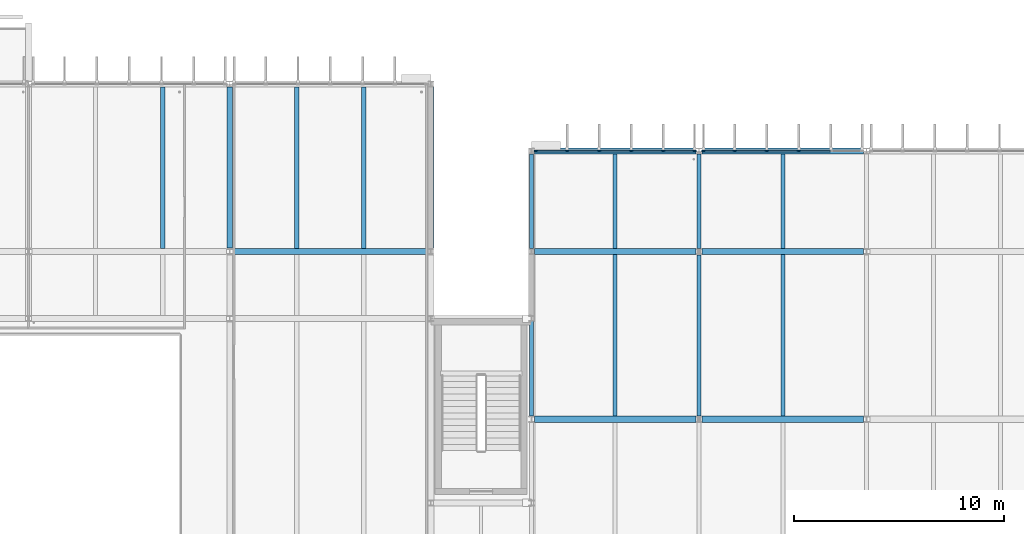
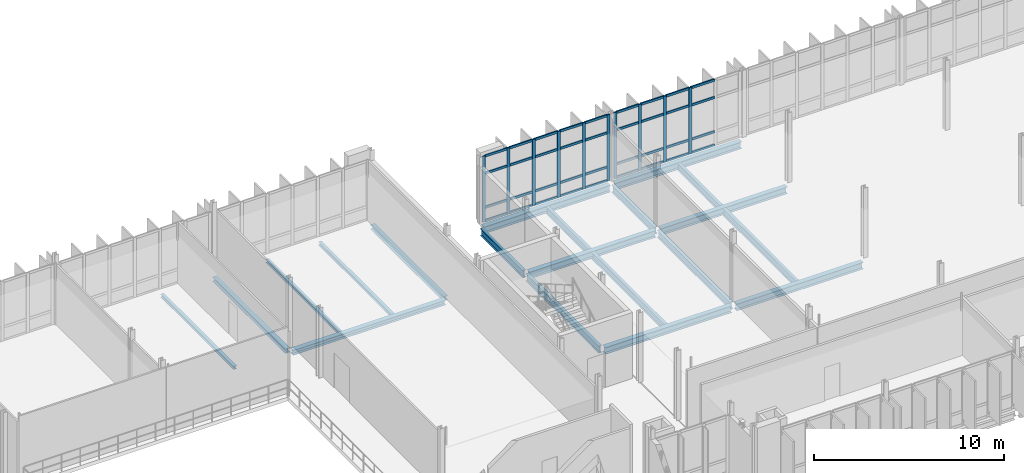
# One storey, part 29 of 93: 46 members, 20 beams, 2 elements without a shape of their own.
"""IFC4 building model written with IfcOpenShell, lengths in metres."""

from ifc_helpers import new_model, si_unit, direction, frame, origin, origin_2d, place, context, subcontext, project, spatial, rectangle, i_section, extrude, material, material_profile, profile_set, type_object, element, aggregate, save


model = new_model("IFC4")

# Units and contexts
model_context = context("Model", 3, precision=1e-05, world=origin(), true_north=direction((0.0, 1.0)))
body_context = subcontext(model_context, "Body", "Model", "MODEL_VIEW")
ifc_project = project(units=[si_unit("LENGTHUNIT", "METRE"), si_unit("AREAUNIT", "SQUARE_METRE"), si_unit("VOLUMEUNIT", "CUBIC_METRE"), si_unit("PLANEANGLEUNIT", "RADIAN"), si_unit("MASSUNIT", "GRAM", prefix="KILO")], contexts=[model_context])

# Site, building, storey
site_placement = place(None, origin())
site = spatial("IfcSite", under=ifc_project, at=site_placement, CompositionType="ELEMENT")
building_placement = place(site_placement, origin())
building = spatial("IfcBuilding", under=site, at=building_placement, Name="Dunescarp Central Library", CompositionType="ELEMENT")
storey_placement = place(building_placement, frame((0.0, 0.0, 14.10009765625)))
storey = spatial("IfcBuildingStorey", under=building, at=storey_placement, Name="L03", CompositionType="ELEMENT", Elevation=14.10009765625)

# Curtain wall, members
ifc_material_1 = material(Name="Marine-grade anodised aluminium 6063-T6", Category="aluminium")
curtain_wall_type = type_object("IfcCurtainWallType", Name="ARC-CW-STICK", PredefinedType="NOTDEFINED", material=ifc_material_1)
curtain_wall_1_placement = place(storey_placement, origin())
curtain_wall_1 = element("IfcCurtainWall", 1, at=curtain_wall_1_placement, inside=storey, type_object=curtain_wall_type, Name="L03 curtain wall CW-V3-102", PredefinedType="NOTDEFINED")
ifc_material_profile_1 = material_profile(ifc_material_1, rectangle(XDim=0.080078125, YDim=0.179931640625, at=origin_2d()), Name="AL 80x180")
ifc_profile_set_1 = profile_set([ifc_material_profile_1], Name="Marine-grade anodised aluminium 6063-T6")
member_type_1 = type_object("IfcMemberType", Name="ARC-CWM-180", PredefinedType="MULLION", material=ifc_profile_set_1)
member_1_placement = place(storey_placement, frame((81.81494140625, 33.60009765625, 0.0), z_axis=(0.0, 0.0, 1.0), x_axis=(0.0, 1.0, 0.0)))
member_1 = element("IfcMember", 2, at=member_1_placement, type_object=member_type_1, Name="CW-V3-102 mullion 1", PredefinedType="MULLION", context=body_context, shape_type="SweptSolid", body=[
    extrude(rectangle(XDim=0.080078125, YDim=0.179931640625, at=origin_2d()), origin(), (0.0, 0.0, 1.0), 4.25),
])
member_2_placement = place(storey_placement, frame((83.304931640625, 33.60009765625, 0.0), z_axis=(0.0, 0.0, 1.0), x_axis=(0.0, 1.0, 0.0)))
member_2 = element("IfcMember", 3, at=member_2_placement, type_object=member_type_1, Name="CW-V3-102 mullion 2", PredefinedType="MULLION", context=body_context, shape_type="SweptSolid", body=[
    extrude(rectangle(XDim=0.080078125, YDim=0.179931640625, at=origin_2d()), origin(), (0.0, 0.0, 1.0), 4.25),
])
member_3_placement = place(storey_placement, frame((84.8349609375, 33.60009765625, 0.0), z_axis=(0.0, 0.0, 1.0), x_axis=(0.0, 1.0, 0.0)))
member_3 = element("IfcMember", 4, at=member_3_placement, type_object=member_type_1, Name="CW-V3-102 mullion 3", PredefinedType="MULLION", context=body_context, shape_type="SweptSolid", body=[
    extrude(rectangle(XDim=0.080078125, YDim=0.179931640625, at=origin_2d()), origin(), (0.0, 0.0, 1.0), 4.25),
])
member_4_placement = place(storey_placement, frame((86.364990234375, 33.60009765625, 0.0), z_axis=(0.0, 0.0, 1.0), x_axis=(0.0, 1.0, 0.0)))
member_4 = element("IfcMember", 5, at=member_4_placement, type_object=member_type_1, Name="CW-V3-102 mullion 4", PredefinedType="MULLION", context=body_context, shape_type="SweptSolid", body=[
    extrude(rectangle(XDim=0.080078125, YDim=0.179931640625, at=origin_2d()), origin(), (0.0, 0.0, 1.0), 4.25),
])
member_5_placement = place(storey_placement, frame((87.89501953125, 33.60009765625, 0.0), z_axis=(0.0, 0.0, 1.0), x_axis=(0.0, 1.0, 0.0)))
member_5 = element("IfcMember", 6, at=member_5_placement, type_object=member_type_1, Name="CW-V3-102 mullion 5", PredefinedType="MULLION", context=body_context, shape_type="SweptSolid", body=[
    extrude(rectangle(XDim=0.080078125, YDim=0.179931640625, at=origin_2d()), origin(), (0.0, 0.0, 1.0), 4.25),
])
member_6_placement = place(storey_placement, frame((89.385009765625, 33.60009765625, 0.0), z_axis=(0.0, 0.0, 1.0), x_axis=(0.0, 1.0, 0.0)))
member_6 = element("IfcMember", 7, at=member_6_placement, type_object=member_type_1, Name="CW-V3-102 mullion 6", PredefinedType="MULLION", context=body_context, shape_type="SweptSolid", body=[
    extrude(rectangle(XDim=0.080078125, YDim=0.179931640625, at=origin_2d()), origin(), (0.0, 0.0, 1.0), 4.25),
])

curtain_wall_2_placement = place(storey_placement, origin())
curtain_wall_2 = element("IfcCurtainWall", 8, at=curtain_wall_2_placement, inside=storey, type_object=curtain_wall_type, Name="L03 curtain wall CW-V3-103", PredefinedType="NOTDEFINED")
member_7_placement = place(storey_placement, frame((89.81494140625, 33.60009765625, 0.0), z_axis=(0.0, 0.0, 1.0), x_axis=(0.0, 1.0, 0.0)))
member_7 = element("IfcMember", 9, at=member_7_placement, type_object=member_type_1, Name="CW-V3-103 mullion 1", PredefinedType="MULLION", context=body_context, shape_type="SweptSolid", body=[
    extrude(rectangle(XDim=0.080078125, YDim=0.179931640625, at=origin_2d()), origin(), (0.0, 0.0, 1.0), 4.25),
])
member_8_placement = place(storey_placement, frame((91.304931640625, 33.60009765625, 0.0), z_axis=(0.0, 0.0, 1.0), x_axis=(0.0, 1.0, 0.0)))
member_8 = element("IfcMember", 10, at=member_8_placement, type_object=member_type_1, Name="CW-V3-103 mullion 2", PredefinedType="MULLION", context=body_context, shape_type="SweptSolid", body=[
    extrude(rectangle(XDim=0.080078125, YDim=0.179931640625, at=origin_2d()), origin(), (0.0, 0.0, 1.0), 4.25),
])
member_9_placement = place(storey_placement, frame((92.8349609375, 33.60009765625, 0.0), z_axis=(0.0, 0.0, 1.0), x_axis=(0.0, 1.0, 0.0)))
member_9 = element("IfcMember", 11, at=member_9_placement, type_object=member_type_1, Name="CW-V3-103 mullion 3", PredefinedType="MULLION", context=body_context, shape_type="SweptSolid", body=[
    extrude(rectangle(XDim=0.080078125, YDim=0.179931640625, at=origin_2d()), origin(), (0.0, 0.0, 1.0), 4.25),
])
member_10_placement = place(storey_placement, frame((94.364990234375, 33.60009765625, 0.0), z_axis=(0.0, 0.0, 1.0), x_axis=(0.0, 1.0, 0.0)))
member_10 = element("IfcMember", 12, at=member_10_placement, type_object=member_type_1, Name="CW-V3-103 mullion 4", PredefinedType="MULLION", context=body_context, shape_type="SweptSolid", body=[
    extrude(rectangle(XDim=0.080078125, YDim=0.179931640625, at=origin_2d()), origin(), (0.0, 0.0, 1.0), 4.25),
])

# Member
ifc_material_profile_2 = material_profile(ifc_material_1, rectangle(XDim=0.080078125, YDim=0.14990234375, at=origin_2d()), Name="AL 80x150")
ifc_profile_set_2 = profile_set([ifc_material_profile_2], Name="Marine-grade anodised aluminium 6063-T6")
member_type_2 = type_object("IfcMemberType", Name="ARC-CWT-150", PredefinedType="USERDEFINED", material=ifc_profile_set_2)
member_11_placement = place(storey_placement, frame((81.85498046875, 33.60009765625, 0.039794921875), z_axis=(1.0, 0.0, 0.0), x_axis=(0.0, 1.0, 0.0)))
member_11 = element("IfcMember", 13, at=member_11_placement, type_object=member_type_2, Name="CW-V3-102 transom 1.1", ObjectType="TRANSOM", PredefinedType="USERDEFINED", context=body_context, shape_type="SweptSolid", body=[
    extrude(rectangle(XDim=0.080078125, YDim=0.14990234375, at=origin_2d()), origin(), (0.0, 0.0, 1.0), 1.409912109375),
])

member_12_placement = place(storey_placement, frame((81.85498046875, 33.60009765625, 0.89990234375), z_axis=(1.0, 0.0, 0.0), x_axis=(0.0, 1.0, 0.0)))
member_12 = element("IfcMember", 14, at=member_12_placement, type_object=member_type_2, Name="CW-V3-102 transom 1.2", ObjectType="TRANSOM", PredefinedType="USERDEFINED", context=body_context, shape_type="SweptSolid", body=[
    extrude(rectangle(XDim=0.080078125, YDim=0.14990234375, at=origin_2d()), origin(), (0.0, 0.0, 1.0), 1.409912109375),
])

member_13_placement = place(storey_placement, frame((81.85498046875, 33.60009765625, 3.099853515625), z_axis=(1.0, 0.0, 0.0), x_axis=(0.0, 1.0, 0.0)))
member_13 = element("IfcMember", 15, at=member_13_placement, type_object=member_type_2, Name="CW-V3-102 transom 1.3", ObjectType="TRANSOM", PredefinedType="USERDEFINED", context=body_context, shape_type="SweptSolid", body=[
    extrude(rectangle(XDim=0.080078125, YDim=0.14990234375, at=origin_2d()), origin(), (0.0, 0.0, 1.0), 1.409912109375),
])

member_14_placement = place(storey_placement, frame((81.85498046875, 33.60009765625, 4.2099609375), z_axis=(1.0, 0.0, 0.0), x_axis=(0.0, 1.0, 0.0)))
member_14 = element("IfcMember", 16, at=member_14_placement, type_object=member_type_2, Name="CW-V3-102 transom 1.4", ObjectType="TRANSOM", PredefinedType="USERDEFINED", context=body_context, shape_type="SweptSolid", body=[
    extrude(rectangle(XDim=0.080078125, YDim=0.14990234375, at=origin_2d()), origin(), (0.0, 0.0, 1.0), 1.409912109375),
])

member_15_placement = place(storey_placement, frame((83.344970703125, 33.60009765625, 0.039794921875), z_axis=(1.0, 0.0, 0.0), x_axis=(0.0, 1.0, 0.0)))
member_15 = element("IfcMember", 17, at=member_15_placement, type_object=member_type_2, Name="CW-V3-102 transom 2.1", ObjectType="TRANSOM", PredefinedType="USERDEFINED", context=body_context, shape_type="SweptSolid", body=[
    extrude(rectangle(XDim=0.080078125, YDim=0.14990234375, at=origin_2d()), origin(), (0.0, 0.0, 1.0), 1.449951171875),
])

member_16_placement = place(storey_placement, frame((83.344970703125, 33.60009765625, 0.89990234375), z_axis=(1.0, 0.0, 0.0), x_axis=(0.0, 1.0, 0.0)))
member_16 = element("IfcMember", 18, at=member_16_placement, type_object=member_type_2, Name="CW-V3-102 transom 2.2", ObjectType="TRANSOM", PredefinedType="USERDEFINED", context=body_context, shape_type="SweptSolid", body=[
    extrude(rectangle(XDim=0.080078125, YDim=0.14990234375, at=origin_2d()), origin(), (0.0, 0.0, 1.0), 1.449951171875),
])

member_17_placement = place(storey_placement, frame((83.344970703125, 33.60009765625, 3.099853515625), z_axis=(1.0, 0.0, 0.0), x_axis=(0.0, 1.0, 0.0)))
member_17 = element("IfcMember", 19, at=member_17_placement, type_object=member_type_2, Name="CW-V3-102 transom 2.3", ObjectType="TRANSOM", PredefinedType="USERDEFINED", context=body_context, shape_type="SweptSolid", body=[
    extrude(rectangle(XDim=0.080078125, YDim=0.14990234375, at=origin_2d()), origin(), (0.0, 0.0, 1.0), 1.449951171875),
])

member_18_placement = place(storey_placement, frame((83.344970703125, 33.60009765625, 4.2099609375), z_axis=(1.0, 0.0, 0.0), x_axis=(0.0, 1.0, 0.0)))
member_18 = element("IfcMember", 20, at=member_18_placement, type_object=member_type_2, Name="CW-V3-102 transom 2.4", ObjectType="TRANSOM", PredefinedType="USERDEFINED", context=body_context, shape_type="SweptSolid", body=[
    extrude(rectangle(XDim=0.080078125, YDim=0.14990234375, at=origin_2d()), origin(), (0.0, 0.0, 1.0), 1.449951171875),
])

member_19_placement = place(storey_placement, frame((84.875, 33.60009765625, 0.039794921875), z_axis=(1.0, 0.0, 0.0), x_axis=(0.0, 1.0, 0.0)))
member_19 = element("IfcMember", 21, at=member_19_placement, type_object=member_type_2, Name="CW-V3-102 transom 3.1", ObjectType="TRANSOM", PredefinedType="USERDEFINED", context=body_context, shape_type="SweptSolid", body=[
    extrude(rectangle(XDim=0.080078125, YDim=0.14990234375, at=origin_2d()), origin(), (0.0, 0.0, 1.0), 1.449951171875),
])

member_20_placement = place(storey_placement, frame((84.875, 33.60009765625, 0.89990234375), z_axis=(1.0, 0.0, 0.0), x_axis=(0.0, 1.0, 0.0)))
member_20 = element("IfcMember", 22, at=member_20_placement, type_object=member_type_2, Name="CW-V3-102 transom 3.2", ObjectType="TRANSOM", PredefinedType="USERDEFINED", context=body_context, shape_type="SweptSolid", body=[
    extrude(rectangle(XDim=0.080078125, YDim=0.14990234375, at=origin_2d()), origin(), (0.0, 0.0, 1.0), 1.449951171875),
])

member_21_placement = place(storey_placement, frame((84.875, 33.60009765625, 3.099853515625), z_axis=(1.0, 0.0, 0.0), x_axis=(0.0, 1.0, 0.0)))
member_21 = element("IfcMember", 23, at=member_21_placement, type_object=member_type_2, Name="CW-V3-102 transom 3.3", ObjectType="TRANSOM", PredefinedType="USERDEFINED", context=body_context, shape_type="SweptSolid", body=[
    extrude(rectangle(XDim=0.080078125, YDim=0.14990234375, at=origin_2d()), origin(), (0.0, 0.0, 1.0), 1.449951171875),
])

member_22_placement = place(storey_placement, frame((84.875, 33.60009765625, 4.2099609375), z_axis=(1.0, 0.0, 0.0), x_axis=(0.0, 1.0, 0.0)))
member_22 = element("IfcMember", 24, at=member_22_placement, type_object=member_type_2, Name="CW-V3-102 transom 3.4", ObjectType="TRANSOM", PredefinedType="USERDEFINED", context=body_context, shape_type="SweptSolid", body=[
    extrude(rectangle(XDim=0.080078125, YDim=0.14990234375, at=origin_2d()), origin(), (0.0, 0.0, 1.0), 1.449951171875),
])

member_23_placement = place(storey_placement, frame((86.405029296875, 33.60009765625, 0.039794921875), z_axis=(1.0, 0.0, 0.0), x_axis=(0.0, 1.0, 0.0)))
member_23 = element("IfcMember", 25, at=member_23_placement, type_object=member_type_2, Name="CW-V3-102 transom 4.1", ObjectType="TRANSOM", PredefinedType="USERDEFINED", context=body_context, shape_type="SweptSolid", body=[
    extrude(rectangle(XDim=0.080078125, YDim=0.14990234375, at=origin_2d()), origin(), (0.0, 0.0, 1.0), 1.449951171875),
])

member_24_placement = place(storey_placement, frame((86.405029296875, 33.60009765625, 0.89990234375), z_axis=(1.0, 0.0, 0.0), x_axis=(0.0, 1.0, 0.0)))
member_24 = element("IfcMember", 26, at=member_24_placement, type_object=member_type_2, Name="CW-V3-102 transom 4.2", ObjectType="TRANSOM", PredefinedType="USERDEFINED", context=body_context, shape_type="SweptSolid", body=[
    extrude(rectangle(XDim=0.080078125, YDim=0.14990234375, at=origin_2d()), origin(), (0.0, 0.0, 1.0), 1.449951171875),
])

member_25_placement = place(storey_placement, frame((86.405029296875, 33.60009765625, 3.099853515625), z_axis=(1.0, 0.0, 0.0), x_axis=(0.0, 1.0, 0.0)))
member_25 = element("IfcMember", 27, at=member_25_placement, type_object=member_type_2, Name="CW-V3-102 transom 4.3", ObjectType="TRANSOM", PredefinedType="USERDEFINED", context=body_context, shape_type="SweptSolid", body=[
    extrude(rectangle(XDim=0.080078125, YDim=0.14990234375, at=origin_2d()), origin(), (0.0, 0.0, 1.0), 1.449951171875),
])

member_26_placement = place(storey_placement, frame((86.405029296875, 33.60009765625, 4.2099609375), z_axis=(1.0, 0.0, 0.0), x_axis=(0.0, 1.0, 0.0)))
member_26 = element("IfcMember", 28, at=member_26_placement, type_object=member_type_2, Name="CW-V3-102 transom 4.4", ObjectType="TRANSOM", PredefinedType="USERDEFINED", context=body_context, shape_type="SweptSolid", body=[
    extrude(rectangle(XDim=0.080078125, YDim=0.14990234375, at=origin_2d()), origin(), (0.0, 0.0, 1.0), 1.449951171875),
])

member_27_placement = place(storey_placement, frame((87.93505859375, 33.60009765625, 0.039794921875), z_axis=(1.0, 0.0, 0.0), x_axis=(0.0, 1.0, 0.0)))
member_27 = element("IfcMember", 29, at=member_27_placement, type_object=member_type_2, Name="CW-V3-102 transom 5.1", ObjectType="TRANSOM", PredefinedType="USERDEFINED", context=body_context, shape_type="SweptSolid", body=[
    extrude(rectangle(XDim=0.080078125, YDim=0.14990234375, at=origin_2d()), origin(), (0.0, 0.0, 1.0), 1.409912109375),
])

member_28_placement = place(storey_placement, frame((87.93505859375, 33.60009765625, 0.89990234375), z_axis=(1.0, 0.0, 0.0), x_axis=(0.0, 1.0, 0.0)))
member_28 = element("IfcMember", 30, at=member_28_placement, type_object=member_type_2, Name="CW-V3-102 transom 5.2", ObjectType="TRANSOM", PredefinedType="USERDEFINED", context=body_context, shape_type="SweptSolid", body=[
    extrude(rectangle(XDim=0.080078125, YDim=0.14990234375, at=origin_2d()), origin(), (0.0, 0.0, 1.0), 1.409912109375),
])

member_29_placement = place(storey_placement, frame((87.93505859375, 33.60009765625, 3.099853515625), z_axis=(1.0, 0.0, 0.0), x_axis=(0.0, 1.0, 0.0)))
member_29 = element("IfcMember", 31, at=member_29_placement, type_object=member_type_2, Name="CW-V3-102 transom 5.3", ObjectType="TRANSOM", PredefinedType="USERDEFINED", context=body_context, shape_type="SweptSolid", body=[
    extrude(rectangle(XDim=0.080078125, YDim=0.14990234375, at=origin_2d()), origin(), (0.0, 0.0, 1.0), 1.409912109375),
])

member_30_placement = place(storey_placement, frame((87.93505859375, 33.60009765625, 4.2099609375), z_axis=(1.0, 0.0, 0.0), x_axis=(0.0, 1.0, 0.0)))
member_30 = element("IfcMember", 32, at=member_30_placement, type_object=member_type_2, Name="CW-V3-102 transom 5.4", ObjectType="TRANSOM", PredefinedType="USERDEFINED", context=body_context, shape_type="SweptSolid", body=[
    extrude(rectangle(XDim=0.080078125, YDim=0.14990234375, at=origin_2d()), origin(), (0.0, 0.0, 1.0), 1.409912109375),
])

aggregate(curtain_wall_1, [member_1, member_2, member_3, member_4, member_5, member_6, member_11, member_12, member_13, member_14, member_15, member_16, member_17, member_18, member_19, member_20, member_21, member_22, member_23, member_24, member_25, member_26, member_27, member_28, member_29, member_30])

member_31_placement = place(storey_placement, frame((89.85498046875, 33.60009765625, 0.039794921875), z_axis=(1.0, 0.0, 0.0), x_axis=(0.0, 1.0, 0.0)))
member_31 = element("IfcMember", 33, at=member_31_placement, type_object=member_type_2, Name="CW-V3-103 transom 1.1", ObjectType="TRANSOM", PredefinedType="USERDEFINED", context=body_context, shape_type="SweptSolid", body=[
    extrude(rectangle(XDim=0.080078125, YDim=0.14990234375, at=origin_2d()), origin(), (0.0, 0.0, 1.0), 1.409912109375),
])

member_32_placement = place(storey_placement, frame((89.85498046875, 33.60009765625, 0.89990234375), z_axis=(1.0, 0.0, 0.0), x_axis=(0.0, 1.0, 0.0)))
member_32 = element("IfcMember", 34, at=member_32_placement, type_object=member_type_2, Name="CW-V3-103 transom 1.2", ObjectType="TRANSOM", PredefinedType="USERDEFINED", context=body_context, shape_type="SweptSolid", body=[
    extrude(rectangle(XDim=0.080078125, YDim=0.14990234375, at=origin_2d()), origin(), (0.0, 0.0, 1.0), 1.409912109375),
])

member_33_placement = place(storey_placement, frame((89.85498046875, 33.60009765625, 3.099853515625), z_axis=(1.0, 0.0, 0.0), x_axis=(0.0, 1.0, 0.0)))
member_33 = element("IfcMember", 35, at=member_33_placement, type_object=member_type_2, Name="CW-V3-103 transom 1.3", ObjectType="TRANSOM", PredefinedType="USERDEFINED", context=body_context, shape_type="SweptSolid", body=[
    extrude(rectangle(XDim=0.080078125, YDim=0.14990234375, at=origin_2d()), origin(), (0.0, 0.0, 1.0), 1.409912109375),
])

member_34_placement = place(storey_placement, frame((89.85498046875, 33.60009765625, 4.2099609375), z_axis=(1.0, 0.0, 0.0), x_axis=(0.0, 1.0, 0.0)))
member_34 = element("IfcMember", 36, at=member_34_placement, type_object=member_type_2, Name="CW-V3-103 transom 1.4", ObjectType="TRANSOM", PredefinedType="USERDEFINED", context=body_context, shape_type="SweptSolid", body=[
    extrude(rectangle(XDim=0.080078125, YDim=0.14990234375, at=origin_2d()), origin(), (0.0, 0.0, 1.0), 1.409912109375),
])

member_35_placement = place(storey_placement, frame((91.344970703125, 33.60009765625, 0.039794921875), z_axis=(1.0, 0.0, 0.0), x_axis=(0.0, 1.0, 0.0)))
member_35 = element("IfcMember", 37, at=member_35_placement, type_object=member_type_2, Name="CW-V3-103 transom 2.1", ObjectType="TRANSOM", PredefinedType="USERDEFINED", context=body_context, shape_type="SweptSolid", body=[
    extrude(rectangle(XDim=0.080078125, YDim=0.14990234375, at=origin_2d()), origin(), (0.0, 0.0, 1.0), 1.449951171875),
])

member_36_placement = place(storey_placement, frame((91.344970703125, 33.60009765625, 0.89990234375), z_axis=(1.0, 0.0, 0.0), x_axis=(0.0, 1.0, 0.0)))
member_36 = element("IfcMember", 38, at=member_36_placement, type_object=member_type_2, Name="CW-V3-103 transom 2.2", ObjectType="TRANSOM", PredefinedType="USERDEFINED", context=body_context, shape_type="SweptSolid", body=[
    extrude(rectangle(XDim=0.080078125, YDim=0.14990234375, at=origin_2d()), origin(), (0.0, 0.0, 1.0), 1.449951171875),
])

member_37_placement = place(storey_placement, frame((91.344970703125, 33.60009765625, 3.099853515625), z_axis=(1.0, 0.0, 0.0), x_axis=(0.0, 1.0, 0.0)))
member_37 = element("IfcMember", 39, at=member_37_placement, type_object=member_type_2, Name="CW-V3-103 transom 2.3", ObjectType="TRANSOM", PredefinedType="USERDEFINED", context=body_context, shape_type="SweptSolid", body=[
    extrude(rectangle(XDim=0.080078125, YDim=0.14990234375, at=origin_2d()), origin(), (0.0, 0.0, 1.0), 1.449951171875),
])

member_38_placement = place(storey_placement, frame((91.344970703125, 33.60009765625, 4.2099609375), z_axis=(1.0, 0.0, 0.0), x_axis=(0.0, 1.0, 0.0)))
member_38 = element("IfcMember", 40, at=member_38_placement, type_object=member_type_2, Name="CW-V3-103 transom 2.4", ObjectType="TRANSOM", PredefinedType="USERDEFINED", context=body_context, shape_type="SweptSolid", body=[
    extrude(rectangle(XDim=0.080078125, YDim=0.14990234375, at=origin_2d()), origin(), (0.0, 0.0, 1.0), 1.449951171875),
])

member_39_placement = place(storey_placement, frame((92.875, 33.60009765625, 0.039794921875), z_axis=(1.0, 0.0, 0.0), x_axis=(0.0, 1.0, 0.0)))
member_39 = element("IfcMember", 41, at=member_39_placement, type_object=member_type_2, Name="CW-V3-103 transom 3.1", ObjectType="TRANSOM", PredefinedType="USERDEFINED", context=body_context, shape_type="SweptSolid", body=[
    extrude(rectangle(XDim=0.080078125, YDim=0.14990234375, at=origin_2d()), origin(), (0.0, 0.0, 1.0), 1.449951171875),
])

member_40_placement = place(storey_placement, frame((92.875, 33.60009765625, 0.89990234375), z_axis=(1.0, 0.0, 0.0), x_axis=(0.0, 1.0, 0.0)))
member_40 = element("IfcMember", 42, at=member_40_placement, type_object=member_type_2, Name="CW-V3-103 transom 3.2", ObjectType="TRANSOM", PredefinedType="USERDEFINED", context=body_context, shape_type="SweptSolid", body=[
    extrude(rectangle(XDim=0.080078125, YDim=0.14990234375, at=origin_2d()), origin(), (0.0, 0.0, 1.0), 1.449951171875),
])

member_41_placement = place(storey_placement, frame((92.875, 33.60009765625, 3.099853515625), z_axis=(1.0, 0.0, 0.0), x_axis=(0.0, 1.0, 0.0)))
member_41 = element("IfcMember", 43, at=member_41_placement, type_object=member_type_2, Name="CW-V3-103 transom 3.3", ObjectType="TRANSOM", PredefinedType="USERDEFINED", context=body_context, shape_type="SweptSolid", body=[
    extrude(rectangle(XDim=0.080078125, YDim=0.14990234375, at=origin_2d()), origin(), (0.0, 0.0, 1.0), 1.449951171875),
])

member_42_placement = place(storey_placement, frame((92.875, 33.60009765625, 4.2099609375), z_axis=(1.0, 0.0, 0.0), x_axis=(0.0, 1.0, 0.0)))
member_42 = element("IfcMember", 44, at=member_42_placement, type_object=member_type_2, Name="CW-V3-103 transom 3.4", ObjectType="TRANSOM", PredefinedType="USERDEFINED", context=body_context, shape_type="SweptSolid", body=[
    extrude(rectangle(XDim=0.080078125, YDim=0.14990234375, at=origin_2d()), origin(), (0.0, 0.0, 1.0), 1.449951171875),
])

member_43_placement = place(storey_placement, frame((94.405029296875, 33.60009765625, 0.039794921875), z_axis=(1.0, 0.0, 0.0), x_axis=(0.0, 1.0, 0.0)))
member_43 = element("IfcMember", 45, at=member_43_placement, type_object=member_type_2, Name="CW-V3-103 transom 4.1", ObjectType="TRANSOM", PredefinedType="USERDEFINED", context=body_context, shape_type="SweptSolid", body=[
    extrude(rectangle(XDim=0.080078125, YDim=0.14990234375, at=origin_2d()), origin(), (0.0, 0.0, 1.0), 1.449951171875),
])

member_44_placement = place(storey_placement, frame((94.405029296875, 33.60009765625, 0.89990234375), z_axis=(1.0, 0.0, 0.0), x_axis=(0.0, 1.0, 0.0)))
member_44 = element("IfcMember", 46, at=member_44_placement, type_object=member_type_2, Name="CW-V3-103 transom 4.2", ObjectType="TRANSOM", PredefinedType="USERDEFINED", context=body_context, shape_type="SweptSolid", body=[
    extrude(rectangle(XDim=0.080078125, YDim=0.14990234375, at=origin_2d()), origin(), (0.0, 0.0, 1.0), 1.449951171875),
])

member_45_placement = place(storey_placement, frame((94.405029296875, 33.60009765625, 3.099853515625), z_axis=(1.0, 0.0, 0.0), x_axis=(0.0, 1.0, 0.0)))
member_45 = element("IfcMember", 47, at=member_45_placement, type_object=member_type_2, Name="CW-V3-103 transom 4.3", ObjectType="TRANSOM", PredefinedType="USERDEFINED", context=body_context, shape_type="SweptSolid", body=[
    extrude(rectangle(XDim=0.080078125, YDim=0.14990234375, at=origin_2d()), origin(), (0.0, 0.0, 1.0), 1.449951171875),
])

member_46_placement = place(storey_placement, frame((94.405029296875, 33.60009765625, 4.2099609375), z_axis=(1.0, 0.0, 0.0), x_axis=(0.0, 1.0, 0.0)))
member_46 = element("IfcMember", 48, at=member_46_placement, type_object=member_type_2, Name="CW-V3-103 transom 4.4", ObjectType="TRANSOM", PredefinedType="USERDEFINED", context=body_context, shape_type="SweptSolid", body=[
    extrude(rectangle(XDim=0.080078125, YDim=0.14990234375, at=origin_2d()), origin(), (0.0, 0.0, 1.0), 1.449951171875),
])

aggregate(curtain_wall_2, [member_7, member_8, member_9, member_10, member_31, member_32, member_33, member_34, member_35, member_36, member_37, member_38, member_39, member_40, member_41, member_42, member_43, member_44, member_45, member_46])

# Beams
ifc_material_2 = material(Name="Steel S355JR", Category="steel")
ifc_material_profile_3 = material_profile(ifc_material_2, i_section(OverallWidth=0.300048828125, OverallDepth=0.31005859375, WebThickness=0.009033203125, FlangeThickness=0.015380859375, at=origin_2d()), Name="HEA 320")
ifc_profile_set_3 = profile_set([ifc_material_profile_3], Name="Steel S355JR")
beam_type_1 = type_object("IfcBeamType", Name="STR-BM-HEA320", PredefinedType="BEAM", material=ifc_profile_set_3)
beam_1_placement = place(storey_placement, frame((67.35302734375, 28.800048828125, -0.39501953125), z_axis=(1.0, 0.0, 0.0), x_axis=(0.0, 1.0, 0.0)))
element("IfcBeam", 49, at=beam_1_placement, inside=storey, type_object=beam_type_1, Name="L03 girder BM-L03-0530", PredefinedType="BEAM", context=body_context, shape_type="SweptSolid", body=[
    extrude(i_section(OverallWidth=0.300048828125, OverallDepth=0.31005859375, WebThickness=0.009033203125, FlangeThickness=0.015380859375, at=origin_2d()), origin(), (0.0, 0.0, 1.0), 9.2939453125),
])
ifc_material_profile_4 = material_profile(ifc_material_2, i_section(OverallWidth=0.300048828125, OverallDepth=0.43994140625, WebThickness=0.011474609375, FlangeThickness=0.02099609375, at=origin_2d()), Name="HEA 450")
ifc_profile_set_4 = profile_set([ifc_material_profile_4], Name="Steel S355JR")
beam_type_2 = type_object("IfcBeamType", Name="STR-BM-HEA450", PredefinedType="BEAM", material=ifc_profile_set_4)
for number, where, z_axis, x_axis, name in (
    (50, (81.7509765625, 20.800048828125, -0.460205078125), (1.0, 0.0, 0.0), (0.0, 1.0, 0.0), "L03 girder BM-L03-0814"),
    (51, (81.7509765625, 28.800048828125, -0.460205078125), (1.0, 0.0, 0.0), (0.0, 1.0, 0.0), "L03 girder BM-L03-0818"),
    (52, (81.7509765625, 33.60009765625, -0.460205078125), (1.0, 0.0, 0.0), (0.0, 1.0, 0.0), "L03 girder BM-L03-0822"),
    (53, (89.7509765625, 20.800048828125, -0.460205078125), (1.0, 0.0, 0.0), (0.0, 1.0, 0.0), "L03 girder BM-L03-0830"),
    (54, (89.7509765625, 28.800048828125, -0.460205078125), (1.0, 0.0, 0.0), (0.0, 1.0, 0.0), "L03 girder BM-L03-0833"),
    (55, (89.7509765625, 33.60009765625, -0.460205078125), (1.0, 0.0, 0.0), (0.0, 1.0, 0.0), "L03 girder BM-L03-0836"),
):
    element("IfcBeam", number, at=place(storey_placement, frame(where, z_axis=z_axis, x_axis=x_axis)), inside=storey, type_object=beam_type_2, Name=name, PredefinedType="BEAM", context=body_context, shape_type="SweptSolid", body=[
        extrude(i_section(OverallWidth=0.300048828125, OverallDepth=0.43994140625, WebThickness=0.011474609375, FlangeThickness=0.02099609375, at=origin_2d()), origin(), (0.0, 0.0, 1.0), 7.697998046875),
    ])
ifc_material_profile_5 = material_profile(ifc_material_2, i_section(OverallWidth=0.280029296875, OverallDepth=0.280029296875, WebThickness=0.010498046875, FlangeThickness=0.01806640625, at=origin_2d()), Name="HEB 280")
ifc_profile_set_5 = profile_set([ifc_material_profile_5], Name="Steel S355JR")
beam_type_3 = type_object("IfcBeamType", Name="STR-BM-HEB280", PredefinedType="BEAM", material=ifc_profile_set_5)
for number, where, z_axis, x_axis, name in (
    (56, (67.199951171875, 28.9609375, -0.380126953125), (0.0, 1.0, 0.0), (-1.0, 0.0, 0.0), "L03 girder BM-L03-0518"),
    (57, (76.800048828125, 28.9609375, -0.380126953125), (0.0, 1.0, 0.0), (-1.0, 0.0, 0.0), "L03 girder BM-L03-0535"),
):
    element("IfcBeam", number, at=place(storey_placement, frame(where, z_axis=z_axis, x_axis=x_axis)), inside=storey, type_object=beam_type_3, Name=name, PredefinedType="BEAM", context=body_context, shape_type="SweptSolid", body=[
        extrude(i_section(OverallWidth=0.280029296875, OverallDepth=0.280029296875, WebThickness=0.010498046875, FlangeThickness=0.01806640625, at=origin_2d()), origin(), (0.0, 0.0, 1.0), 7.68505859375),
    ])
ifc_material_profile_6 = material_profile(ifc_material_2, i_section(OverallWidth=0.19140625, OverallDepth=0.4599609375, WebThickness=0.010009765625, FlangeThickness=0.01611328125, at=origin_2d()), Name="UB 457x191x82")
ifc_profile_set_6 = profile_set([ifc_material_profile_6], Name="Steel S355JR")
beam_type_4 = type_object("IfcBeamType", Name="STR-BM-UB457X82", PredefinedType="BEAM", material=ifc_profile_set_6)
for number, where, z_axis, x_axis, name in (
    (58, (81.60009765625, 20.9541015625, -0.47021484375), (0.0, 1.0, 0.0), (-1.0, 0.0, 0.0), "L03 girder BM-L03-0819"),
    (59, (89.60009765625, 20.9541015625, -0.47021484375), (0.0, 1.0, 0.0), (-1.0, 0.0, 0.0), "L03 girder BM-L03-0820"),
):
    element("IfcBeam", number, at=place(storey_placement, frame(where, z_axis=z_axis, x_axis=x_axis)), inside=storey, type_object=beam_type_4, Name=name, PredefinedType="BEAM", context=body_context, shape_type="SweptSolid", body=[
        extrude(i_section(OverallWidth=0.19140625, OverallDepth=0.4599609375, WebThickness=0.010009765625, FlangeThickness=0.01611328125, at=origin_2d()), origin(), (0.0, 0.0, 1.0), 7.69189453125),
    ])
for number, where, z_axis, x_axis, name in (
    (60, (81.60009765625, 28.9541015625, -0.47021484375), (0.0, 1.0, 0.0), (-1.0, 0.0, 0.0), "L03 girder BM-L03-0823"),
    (61, (89.60009765625, 28.9541015625, -0.47021484375), (0.0, 1.0, 0.0), (-1.0, 0.0, 0.0), "L03 girder BM-L03-0824"),
):
    element("IfcBeam", number, at=place(storey_placement, frame(where, z_axis=z_axis, x_axis=x_axis)), inside=storey, type_object=beam_type_4, Name=name, PredefinedType="BEAM", context=body_context, shape_type="SweptSolid", body=[
        extrude(i_section(OverallWidth=0.19140625, OverallDepth=0.4599609375, WebThickness=0.010009765625, FlangeThickness=0.01611328125, at=origin_2d()), origin(), (0.0, 0.0, 1.0), 4.491943359375),
    ])
ifc_material_profile_7 = material_profile(ifc_material_2, i_section(OverallWidth=0.199951171875, OverallDepth=0.199951171875, WebThickness=0.009033203125, FlangeThickness=0.014892578125, at=origin_2d()), Name="HEB 200")
ifc_profile_set_7 = profile_set([ifc_material_profile_7], Name="Steel S355JR")
beam_type_5 = type_object("IfcBeamType", Name="STR-JS-HEB200", PredefinedType="JOIST", material=ifc_profile_set_7)
for number, where, z_axis, x_axis, name in (
    (62, (64.0, 28.947998046875, -0.340087890625), (0.0, 1.0, 0.0), (-1.0, 0.0, 0.0), "L03 joist JS-L03-0520"),
    (63, (70.39990234375, 28.947998046875, -0.340087890625), (0.0, 1.0, 0.0), (-1.0, 0.0, 0.0), "L03 joist JS-L03-0536"),
    (64, (73.60009765625, 28.947998046875, -0.340087890625), (0.0, 1.0, 0.0), (-1.0, 0.0, 0.0), "L03 joist JS-L03-0537"),
):
    element("IfcBeam", number, at=place(storey_placement, frame(where, z_axis=z_axis, x_axis=x_axis)), inside=storey, type_object=beam_type_5, Name=name, PredefinedType="JOIST", context=body_context, shape_type="SweptSolid", body=[
        extrude(i_section(OverallWidth=0.199951171875, OverallDepth=0.199951171875, WebThickness=0.009033203125, FlangeThickness=0.014892578125, at=origin_2d()), origin(), (0.0, 0.0, 1.0), 7.7041015625),
    ])
ifc_material_profile_8 = material_profile(ifc_material_2, i_section(OverallWidth=0.18994140625, OverallDepth=0.449951171875, WebThickness=0.009521484375, FlangeThickness=0.0146484375, at=origin_2d()), Name="IPE 450")
ifc_profile_set_8 = profile_set([ifc_material_profile_8], Name="Steel S355JR")
beam_type_6 = type_object("IfcBeamType", Name="STR-JS-IPE450", PredefinedType="JOIST", material=ifc_profile_set_8)
beam_2_placement = place(storey_placement, frame((85.60009765625, 20.947998046875, -0.465087890625), z_axis=(0.0, 1.0, 0.0), x_axis=(-1.0, 0.0, 0.0)))
element("IfcBeam", 65, at=beam_2_placement, inside=storey, type_object=beam_type_6, Name="L03 joist JS-L03-0821", PredefinedType="JOIST", context=body_context, shape_type="SweptSolid", body=[
    extrude(i_section(OverallWidth=0.18994140625, OverallDepth=0.449951171875, WebThickness=0.009521484375, FlangeThickness=0.0146484375, at=origin_2d()), origin(), (0.0, 0.0, 1.0), 7.7041015625),
])
beam_3_placement = place(storey_placement, frame((85.60009765625, 28.947998046875, -0.465087890625), z_axis=(0.0, 1.0, 0.0), x_axis=(-1.0, 0.0, 0.0)))
element("IfcBeam", 66, at=beam_3_placement, inside=storey, type_object=beam_type_6, Name="L03 joist JS-L03-0825", PredefinedType="JOIST", context=body_context, shape_type="SweptSolid", body=[
    extrude(i_section(OverallWidth=0.18994140625, OverallDepth=0.449951171875, WebThickness=0.009521484375, FlangeThickness=0.0146484375, at=origin_2d()), origin(), (0.0, 0.0, 1.0), 4.50390625),
])
beam_4_placement = place(storey_placement, frame((93.60009765625, 20.947998046875, -0.465087890625), z_axis=(0.0, 1.0, 0.0), x_axis=(-1.0, 0.0, 0.0)))
element("IfcBeam", 67, at=beam_4_placement, inside=storey, type_object=beam_type_6, Name="L03 joist JS-L03-0835", PredefinedType="JOIST", context=body_context, shape_type="SweptSolid", body=[
    extrude(i_section(OverallWidth=0.18994140625, OverallDepth=0.449951171875, WebThickness=0.009521484375, FlangeThickness=0.0146484375, at=origin_2d()), origin(), (0.0, 0.0, 1.0), 7.7041015625),
])
beam_5_placement = place(storey_placement, frame((93.60009765625, 28.947998046875, -0.465087890625), z_axis=(0.0, 1.0, 0.0), x_axis=(-1.0, 0.0, 0.0)))
element("IfcBeam", 68, at=beam_5_placement, inside=storey, type_object=beam_type_6, Name="L03 joist JS-L03-0838", PredefinedType="JOIST", context=body_context, shape_type="SweptSolid", body=[
    extrude(i_section(OverallWidth=0.18994140625, OverallDepth=0.449951171875, WebThickness=0.009521484375, FlangeThickness=0.0146484375, at=origin_2d()), origin(), (0.0, 0.0, 1.0), 4.50390625),
])

save(model, "model.ifc")
